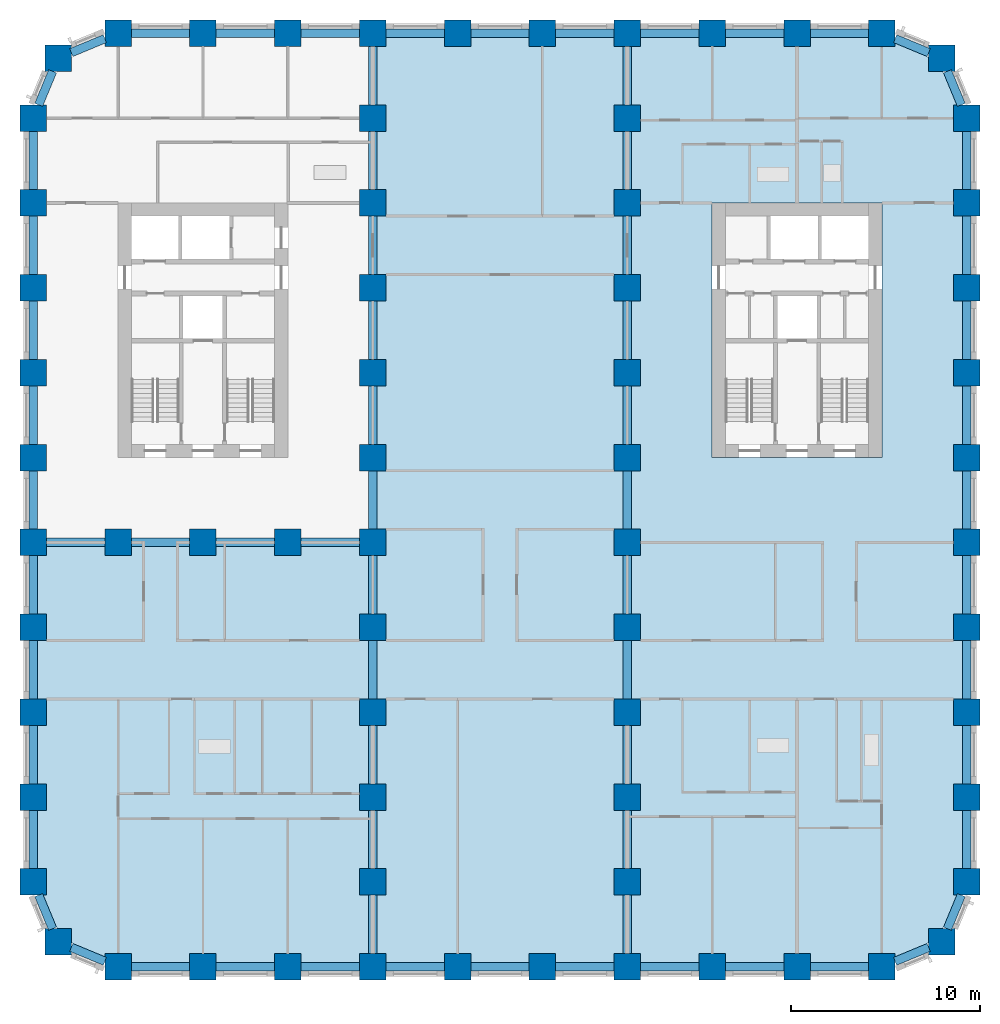
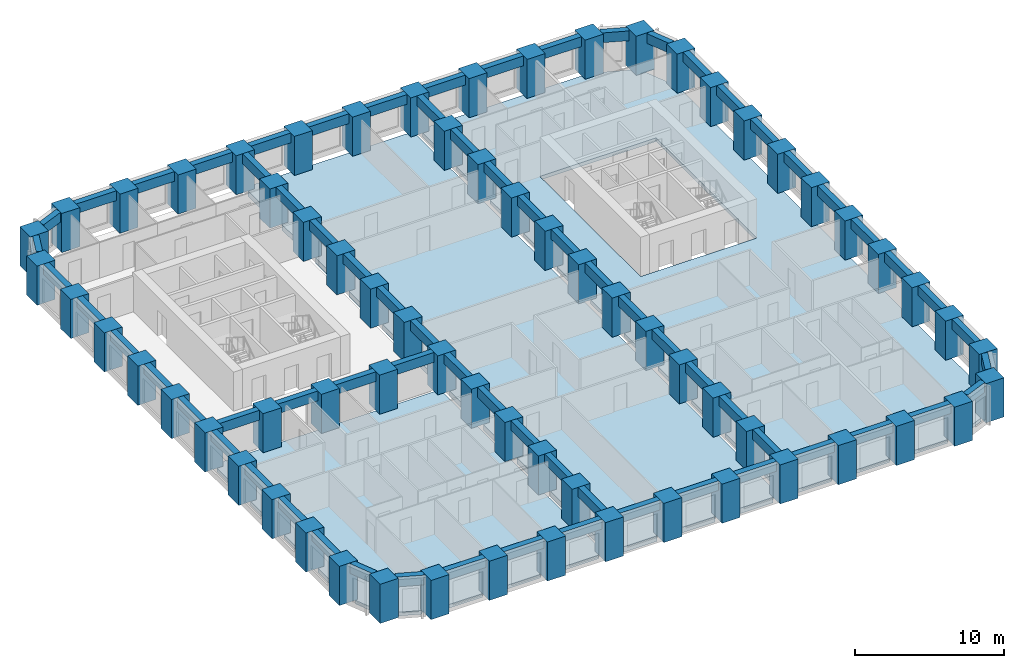
# One storey, part 1 of 12: 70 beams, 67 columns, 3 slabs.
"""IFC4 building model written with IfcOpenShell, lengths in metres."""

from ifc_helpers import new_model, si_unit, direction, frame, origin, origin_2d, place, context, subcontext, project, spatial, polyline, rectangle, outline, extrude, material, layer, layer_set, material_profile, profile_set, type_object, element, save


model = new_model("IFC4")

# Units and contexts
model_context = context("Model", 3, precision=1e-05, world=origin(), true_north=direction((0.0, 1.0)))
body_context = subcontext(model_context, "Body", "Model", "MODEL_VIEW")
ifc_project = project(units=[si_unit("LENGTHUNIT", "METRE"), si_unit("AREAUNIT", "SQUARE_METRE"), si_unit("VOLUMEUNIT", "CUBIC_METRE"), si_unit("PLANEANGLEUNIT", "RADIAN"), si_unit("MASSUNIT", "GRAM", prefix="KILO")], contexts=[model_context])

# Site, building, storey
site_placement = place(None, origin())
site = spatial("IfcSite", under=ifc_project, at=site_placement, CompositionType="ELEMENT")
building_placement = place(site_placement, origin())
building = spatial("IfcBuilding", under=site, at=building_placement, Name="Girih Gate Residences", CompositionType="ELEMENT")
storey_placement = place(building_placement, frame((0.0, 0.0, 62.39990234375)))
storey = spatial("IfcBuildingStorey", under=building, at=storey_placement, Name="L16", CompositionType="ELEMENT", Elevation=62.39990234375)

# Columns
ifc_material_1 = material(Name="Concrete C80/95", Category="concrete")
ifc_material_profile_1 = material_profile(ifc_material_1, rectangle(XDim=1.39990234375, YDim=1.39990234375, at=origin_2d()))
ifc_profile_set_1 = profile_set([ifc_material_profile_1], Name="Concrete C80/95")
column_type = type_object("IfcColumnType", Name="Pier RC 1400x1400 Concrete C80/95", PredefinedType="COLUMN", material=ifc_profile_set_1)
for number, where, z_axis, x_axis, name in (
    (1, (4.5, 0.0, 0.0), (0.0, 0.0, 1.0), (1.0, 0.0, 0.0), "Pier P2A L16"),
    (2, (9.0, 0.0, 0.0), (0.0, 0.0, 1.0), (1.0, 0.0, 0.0), "Pier P3A L16"),
    (3, (13.5, 0.0, 0.0), (0.0, 0.0, 1.0), (1.0, 0.0, 0.0), "Pier P4A L16"),
    (4, (18.0, 0.0, 0.0), (0.0, 0.0, 1.0), (1.0, 0.0, 0.0), "Pier P5A L16"),
    (5, (22.5, 0.0, 0.0), (0.0, 0.0, 1.0), (1.0, 0.0, 0.0), "Pier P6A L16"),
    (6, (27.0, 0.0, 0.0), (0.0, 0.0, 1.0), (1.0, 0.0, 0.0), "Pier P7A L16"),
    (7, (31.5, 0.0, 0.0), (0.0, 0.0, 1.0), (1.0, 0.0, 0.0), "Pier P8A L16"),
    (8, (36.0, 0.0, 0.0), (0.0, 0.0, 1.0), (1.0, 0.0, 0.0), "Pier P9A L16"),
    (9, (40.5, 0.0, 0.0), (0.0, 0.0, 1.0), (1.0, 0.0, 0.0), "Pier P10A L16"),
    (10, (45.0, 0.0, 0.0), (0.0, 0.0, 1.0), (1.0, 0.0, 0.0), "Pier P11A L16"),
    (11, (1.318115234375, 1.318115234375, 0.0), (0.0, 0.0, 1.0), (1.0, 0.0, 0.0), "Pier P1ANE L16"),
    (12, (48.181884765625, 1.318115234375, 0.0), (0.0, 0.0, 1.0), (1.0, 0.0, 0.0), "Pier P12ANW L16"),
    (13, (0.0, 4.5, 0.0), (0.0, 0.0, 1.0), (1.0, 0.0, 0.0), "Pier P1B L16"),
    (14, (18.0, 4.5, 0.0), (0.0, 0.0, 1.0), (1.0, 0.0, 0.0), "Pier P5B L16"),
    (15, (31.5, 4.5, 0.0), (0.0, 0.0, 1.0), (1.0, 0.0, 0.0), "Pier P8B L16"),
    (16, (49.5, 4.5, 0.0), (0.0, 0.0, 1.0), (1.0, 0.0, 0.0), "Pier P12B L16"),
    (17, (0.0, 9.0, 0.0), (0.0, 0.0, 1.0), (1.0, 0.0, 0.0), "Pier P1C L16"),
    (18, (18.0, 9.0, 0.0), (0.0, 0.0, 1.0), (1.0, 0.0, 0.0), "Pier P5C L16"),
    (19, (31.5, 9.0, 0.0), (0.0, 0.0, 1.0), (1.0, 0.0, 0.0), "Pier P8C L16"),
    (20, (49.5, 9.0, 0.0), (0.0, 0.0, 1.0), (1.0, 0.0, 0.0), "Pier P12C L16"),
    (21, (0.0, 13.5, 0.0), (0.0, 0.0, 1.0), (1.0, 0.0, 0.0), "Pier P1D L16"),
    (22, (18.0, 13.5, 0.0), (0.0, 0.0, 1.0), (1.0, 0.0, 0.0), "Pier P5D L16"),
    (23, (31.5, 13.5, 0.0), (0.0, 0.0, 1.0), (1.0, 0.0, 0.0), "Pier P8D L16"),
    (24, (49.5, 13.5, 0.0), (0.0, 0.0, 1.0), (1.0, 0.0, 0.0), "Pier P12D L16"),
    (25, (0.0, 18.0, 0.0), (0.0, 0.0, 1.0), (1.0, 0.0, 0.0), "Pier P1E L16"),
    (26, (18.0, 18.0, 0.0), (0.0, 0.0, 1.0), (1.0, 0.0, 0.0), "Pier P5E L16"),
    (27, (31.5, 18.0, 0.0), (0.0, 0.0, 1.0), (1.0, 0.0, 0.0), "Pier P8E L16"),
    (28, (49.5, 18.0, 0.0), (0.0, 0.0, 1.0), (1.0, 0.0, 0.0), "Pier P12E L16"),
    (29, (0.0, 22.5, 0.0), (0.0, 0.0, 1.0), (1.0, 0.0, 0.0), "Pier P1F L16"),
    (30, (4.5, 22.5, 0.0), (0.0, 0.0, 1.0), (1.0, 0.0, 0.0), "Pier P2F L16"),
    (31, (9.0, 22.5, 0.0), (0.0, 0.0, 1.0), (1.0, 0.0, 0.0), "Pier P3F L16"),
    (32, (13.5, 22.5, 0.0), (0.0, 0.0, 1.0), (1.0, 0.0, 0.0), "Pier P4F L16"),
    (33, (18.0, 22.5, 0.0), (0.0, 0.0, 1.0), (1.0, 0.0, 0.0), "Pier P5F L16"),
    (34, (31.5, 22.5, 0.0), (0.0, 0.0, 1.0), (1.0, 0.0, 0.0), "Pier P8F L16"),
    (35, (49.5, 22.5, 0.0), (0.0, 0.0, 1.0), (1.0, 0.0, 0.0), "Pier P12F L16"),
    (36, (0.0, 27.0, 0.0), (0.0, 0.0, 1.0), (1.0, 0.0, 0.0), "Pier P1G L16"),
    (37, (18.0, 27.0, 0.0), (0.0, 0.0, 1.0), (1.0, 0.0, 0.0), "Pier P5G L16"),
    (38, (31.5, 27.0, 0.0), (0.0, 0.0, 1.0), (1.0, 0.0, 0.0), "Pier P8G L16"),
    (39, (49.5, 27.0, 0.0), (0.0, 0.0, 1.0), (1.0, 0.0, 0.0), "Pier P12G L16"),
    (40, (0.0, 31.5, 0.0), (0.0, 0.0, 1.0), (1.0, 0.0, 0.0), "Pier P1H L16"),
    (41, (18.0, 31.5, 0.0), (0.0, 0.0, 1.0), (1.0, 0.0, 0.0), "Pier P5H L16"),
    (42, (31.5, 31.5, 0.0), (0.0, 0.0, 1.0), (1.0, 0.0, 0.0), "Pier P8H L16"),
    (43, (49.5, 31.5, 0.0), (0.0, 0.0, 1.0), (1.0, 0.0, 0.0), "Pier P12H L16"),
    (44, (0.0, 36.0, 0.0), (0.0, 0.0, 1.0), (1.0, 0.0, 0.0), "Pier P1I L16"),
    (45, (18.0, 36.0, 0.0), (0.0, 0.0, 1.0), (1.0, 0.0, 0.0), "Pier P5I L16"),
    (46, (31.5, 36.0, 0.0), (0.0, 0.0, 1.0), (1.0, 0.0, 0.0), "Pier P8I L16"),
    (47, (49.5, 36.0, 0.0), (0.0, 0.0, 1.0), (1.0, 0.0, 0.0), "Pier P12I L16"),
    (48, (0.0, 40.5, 0.0), (0.0, 0.0, 1.0), (1.0, 0.0, 0.0), "Pier P1J L16"),
    (49, (18.0, 40.5, 0.0), (0.0, 0.0, 1.0), (1.0, 0.0, 0.0), "Pier P5J L16"),
    (50, (31.5, 40.5, 0.0), (0.0, 0.0, 1.0), (1.0, 0.0, 0.0), "Pier P8J L16"),
    (51, (49.5, 40.5, 0.0), (0.0, 0.0, 1.0), (1.0, 0.0, 0.0), "Pier P12J L16"),
    (52, (0.0, 45.0, 0.0), (0.0, 0.0, 1.0), (1.0, 0.0, 0.0), "Pier P1K L16"),
    (53, (18.0, 45.0, 0.0), (0.0, 0.0, 1.0), (1.0, 0.0, 0.0), "Pier P5K L16"),
    (54, (31.5, 45.0, 0.0), (0.0, 0.0, 1.0), (1.0, 0.0, 0.0), "Pier P8K L16"),
    (55, (49.5, 45.0, 0.0), (0.0, 0.0, 1.0), (1.0, 0.0, 0.0), "Pier P12K L16"),
    (56, (1.318115234375, 48.181884765625, 0.0), (0.0, 0.0, 1.0), (1.0, 0.0, 0.0), "Pier P1LSE L16"),
    (57, (48.181884765625, 48.181884765625, 0.0), (0.0, 0.0, 1.0), (1.0, 0.0, 0.0), "Pier P12LSW L16"),
    (58, (4.5, 49.5, 0.0), (0.0, 0.0, 1.0), (1.0, 0.0, 0.0), "Pier P2L L16"),
    (59, (9.0, 49.5, 0.0), (0.0, 0.0, 1.0), (1.0, 0.0, 0.0), "Pier P3L L16"),
    (60, (13.5, 49.5, 0.0), (0.0, 0.0, 1.0), (1.0, 0.0, 0.0), "Pier P4L L16"),
    (61, (18.0, 49.5, 0.0), (0.0, 0.0, 1.0), (1.0, 0.0, 0.0), "Pier P5L L16"),
    (62, (22.5, 49.5, 0.0), (0.0, 0.0, 1.0), (1.0, 0.0, 0.0), "Pier P6L L16"),
    (63, (27.0, 49.5, 0.0), (0.0, 0.0, 1.0), (1.0, 0.0, 0.0), "Pier P7L L16"),
    (64, (31.5, 49.5, 0.0), (0.0, 0.0, 1.0), (1.0, 0.0, 0.0), "Pier P8L L16"),
    (65, (36.0, 49.5, 0.0), (0.0, 0.0, 1.0), (1.0, 0.0, 0.0), "Pier P9L L16"),
    (66, (40.5, 49.5, 0.0), (0.0, 0.0, 1.0), (1.0, 0.0, 0.0), "Pier P10L L16"),
    (67, (45.0, 49.5, 0.0), (0.0, 0.0, 1.0), (1.0, 0.0, 0.0), "Pier P11L L16"),
):
    element("IfcColumn", number, at=place(storey_placement, frame(where, z_axis=z_axis, x_axis=x_axis)), inside=storey, type_object=column_type, Name=name, PredefinedType="COLUMN", context=body_context, shape_type="SweptSolid", body=[
        extrude(rectangle(XDim=1.39990234375, YDim=1.39990234375, at=origin_2d()), origin(), (0.0, 0.0, 1.0), 3.2001953125),
    ])

# Beams
ifc_material_2 = material(Name="Concrete C60/75", Category="concrete")
ifc_material_profile_2 = material_profile(ifc_material_2, rectangle(XDim=0.449951171875, YDim=0.800048828125, at=origin_2d()))
ifc_profile_set_2 = profile_set([ifc_material_profile_2], Name="Concrete C60/75")
beam_type = type_object("IfcBeamType", Name="Spandrel girder RC 450x800 Concrete C60/75", PredefinedType="BEAM", material=ifc_profile_set_2)
for number, where, z_axis, x_axis, name in (
    (68, (0.2900390625, 3.800048828125, 2.800048828125), (0.382646180293, -0.923894961945, 0.0), (0.923894961945, 0.382646180293, 0.0), "Spandrel girder SP-P1B-P1ANE L16"),
    (69, (2.01806640625, 1.028076171875, 2.800048828125), (0.923894961945, -0.382646180293, 0.0), (0.382646180293, 0.923894961945, 0.0), "Spandrel girder SP-P1ANE-P2A L16"),
):
    element("IfcBeam", number, at=place(storey_placement, frame(where, z_axis=z_axis, x_axis=x_axis)), inside=storey, type_object=beam_type, Name=name, PredefinedType="BEAM", context=body_context, shape_type="SweptSolid", body=[
        extrude(rectangle(XDim=0.449951171875, YDim=0.800048828125, at=origin_2d()), origin(), (0.0, 0.0, 1.0), 1.9287109375),
    ])
for number, where, z_axis, x_axis, name in (
    (70, (5.199951171875, 0.0, 2.800048828125), (1.0, 0.0, 0.0), (0.0, 1.0, 0.0), "Spandrel girder SP-P2A-P3A L16"),
    (71, (9.699951171875, 0.0, 2.800048828125), (1.0, 0.0, 0.0), (0.0, 1.0, 0.0), "Spandrel girder SP-P3A-P4A L16"),
    (72, (14.199951171875, 0.0, 2.800048828125), (1.0, 0.0, 0.0), (0.0, 1.0, 0.0), "Spandrel girder SP-P4A-P5A L16"),
    (73, (18.699951171875, 0.0, 2.800048828125), (1.0, 0.0, 0.0), (0.0, 1.0, 0.0), "Spandrel girder SP-P5A-P6A L16"),
    (74, (23.199951171875, 0.0, 2.800048828125), (1.0, 0.0, 0.0), (0.0, 1.0, 0.0), "Spandrel girder SP-P6A-P7A L16"),
    (75, (27.699951171875, 0.0, 2.800048828125), (1.0, 0.0, 0.0), (0.0, 1.0, 0.0), "Spandrel girder SP-P7A-P8A L16"),
    (76, (32.199951171875, 0.0, 2.800048828125), (1.0, 0.0, 0.0), (0.0, 1.0, 0.0), "Spandrel girder SP-P8A-P9A L16"),
    (77, (36.699951171875, 0.0, 2.800048828125), (1.0, 0.0, 0.0), (0.0, 1.0, 0.0), "Spandrel girder SP-P9A-P10A L16"),
    (78, (41.199951171875, 0.0, 2.800048828125), (1.0, 0.0, 0.0), (0.0, 1.0, 0.0), "Spandrel girder SP-P10A-P11A L16"),
):
    element("IfcBeam", number, at=place(storey_placement, frame(where, z_axis=z_axis, x_axis=x_axis)), inside=storey, type_object=beam_type, Name=name, PredefinedType="BEAM", context=body_context, shape_type="SweptSolid", body=[
        extrude(rectangle(XDim=0.449951171875, YDim=0.800048828125, at=origin_2d()), origin(), (0.0, 0.0, 1.0), 3.10009765625),
    ])
for number, where, z_axis, x_axis, name in (
    (79, (45.699951171875, 0.2900390625, 2.800048828125), (0.923894961945, 0.382646180293, 0.0), (-0.382646180293, 0.923894961945, 0.0), "Spandrel girder SP-P11A-P12ANW L16"),
    (80, (48.471923828125, 2.01806640625, 2.800048828125), (0.382646180293, 0.923894961945, 0.0), (-0.923894961945, 0.382646180293, 0.0), "Spandrel girder SP-P12ANW-P12B L16"),
):
    element("IfcBeam", number, at=place(storey_placement, frame(where, z_axis=z_axis, x_axis=x_axis)), inside=storey, type_object=beam_type, Name=name, PredefinedType="BEAM", context=body_context, shape_type="SweptSolid", body=[
        extrude(rectangle(XDim=0.449951171875, YDim=0.800048828125, at=origin_2d()), origin(), (0.0, 0.0, 1.0), 1.9287109375),
    ])
for number, where, z_axis, x_axis, name in (
    (81, (49.5, 5.199951171875, 2.800048828125), (0.0, 1.0, 0.0), (-1.0, 0.0, 0.0), "Spandrel girder SP-P12B-P12C L16"),
    (82, (49.5, 9.699951171875, 2.800048828125), (0.0, 1.0, 0.0), (-1.0, 0.0, 0.0), "Spandrel girder SP-P12C-P12D L16"),
    (83, (49.5, 14.199951171875, 2.800048828125), (0.0, 1.0, 0.0), (-1.0, 0.0, 0.0), "Spandrel girder SP-P12D-P12E L16"),
    (84, (49.5, 18.699951171875, 2.800048828125), (0.0, 1.0, 0.0), (-1.0, 0.0, 0.0), "Spandrel girder SP-P12E-P12F L16"),
    (85, (49.5, 23.199951171875, 2.800048828125), (0.0, 1.0, 0.0), (-1.0, 0.0, 0.0), "Spandrel girder SP-P12F-P12G L16"),
    (86, (49.5, 27.699951171875, 2.800048828125), (0.0, 1.0, 0.0), (-1.0, 0.0, 0.0), "Spandrel girder SP-P12G-P12H L16"),
    (87, (49.5, 32.199951171875, 2.800048828125), (0.0, 1.0, 0.0), (-1.0, 0.0, 0.0), "Spandrel girder SP-P12H-P12I L16"),
    (88, (49.5, 36.699951171875, 2.800048828125), (0.0, 1.0, 0.0), (-1.0, 0.0, 0.0), "Spandrel girder SP-P12I-P12J L16"),
    (89, (49.5, 41.199951171875, 2.800048828125), (0.0, 1.0, 0.0), (-1.0, 0.0, 0.0), "Spandrel girder SP-P12J-P12K L16"),
):
    element("IfcBeam", number, at=place(storey_placement, frame(where, z_axis=z_axis, x_axis=x_axis)), inside=storey, type_object=beam_type, Name=name, PredefinedType="BEAM", context=body_context, shape_type="SweptSolid", body=[
        extrude(rectangle(XDim=0.449951171875, YDim=0.800048828125, at=origin_2d()), origin(), (0.0, 0.0, 1.0), 3.10009765625),
    ])
for number, where, z_axis, x_axis, name in (
    (90, (49.2099609375, 45.699951171875, 2.800048828125), (-0.382646180293, 0.923894961945, 0.0), (-0.923894961945, -0.382646180293, 0.0), "Spandrel girder SP-P12K-P12LSW L16"),
    (91, (47.48193359375, 48.471923828125, 2.800048828125), (-0.923894961945, 0.382646180293, 0.0), (-0.382646180293, -0.923894961945, 0.0), "Spandrel girder SP-P12LSW-P11L L16"),
):
    element("IfcBeam", number, at=place(storey_placement, frame(where, z_axis=z_axis, x_axis=x_axis)), inside=storey, type_object=beam_type, Name=name, PredefinedType="BEAM", context=body_context, shape_type="SweptSolid", body=[
        extrude(rectangle(XDim=0.449951171875, YDim=0.800048828125, at=origin_2d()), origin(), (0.0, 0.0, 1.0), 1.9287109375),
    ])
for number, where, z_axis, x_axis, name in (
    (92, (44.300048828125, 49.5, 2.800048828125), (-1.0, 0.0, 0.0), (0.0, -1.0, 0.0), "Spandrel girder SP-P11L-P10L L16"),
    (93, (39.800048828125, 49.5, 2.800048828125), (-1.0, 0.0, 0.0), (0.0, -1.0, 0.0), "Spandrel girder SP-P10L-P9L L16"),
    (94, (35.300048828125, 49.5, 2.800048828125), (-1.0, 0.0, 0.0), (0.0, -1.0, 0.0), "Spandrel girder SP-P9L-P8L L16"),
    (95, (30.800048828125, 49.5, 2.800048828125), (-1.0, 0.0, 0.0), (0.0, -1.0, 0.0), "Spandrel girder SP-P8L-P7L L16"),
    (96, (26.300048828125, 49.5, 2.800048828125), (-1.0, 0.0, 0.0), (0.0, -1.0, 0.0), "Spandrel girder SP-P7L-P6L L16"),
    (97, (21.800048828125, 49.5, 2.800048828125), (-1.0, 0.0, 0.0), (0.0, -1.0, 0.0), "Spandrel girder SP-P6L-P5L L16"),
    (98, (17.300048828125, 49.5, 2.800048828125), (-1.0, 0.0, 0.0), (0.0, -1.0, 0.0), "Spandrel girder SP-P5L-P4L L16"),
    (99, (12.800048828125, 49.5, 2.800048828125), (-1.0, 0.0, 0.0), (0.0, -1.0, 0.0), "Spandrel girder SP-P4L-P3L L16"),
    (100, (8.300048828125, 49.5, 2.800048828125), (-1.0, 0.0, 0.0), (0.0, -1.0, 0.0), "Spandrel girder SP-P3L-P2L L16"),
):
    element("IfcBeam", number, at=place(storey_placement, frame(where, z_axis=z_axis, x_axis=x_axis)), inside=storey, type_object=beam_type, Name=name, PredefinedType="BEAM", context=body_context, shape_type="SweptSolid", body=[
        extrude(rectangle(XDim=0.449951171875, YDim=0.800048828125, at=origin_2d()), origin(), (0.0, 0.0, 1.0), 3.10009765625),
    ])
for number, where, z_axis, x_axis, name in (
    (101, (3.800048828125, 49.2099609375, 2.800048828125), (-0.923894961945, -0.382646180293, 0.0), (0.382646180293, -0.923894961945, 0.0), "Spandrel girder SP-P2L-P1LSE L16"),
    (102, (1.028076171875, 47.48193359375, 2.800048828125), (-0.382646180293, -0.923894961945, 0.0), (0.923894961945, -0.382646180293, 0.0), "Spandrel girder SP-P1LSE-P1K L16"),
):
    element("IfcBeam", number, at=place(storey_placement, frame(where, z_axis=z_axis, x_axis=x_axis)), inside=storey, type_object=beam_type, Name=name, PredefinedType="BEAM", context=body_context, shape_type="SweptSolid", body=[
        extrude(rectangle(XDim=0.449951171875, YDim=0.800048828125, at=origin_2d()), origin(), (0.0, 0.0, 1.0), 1.9287109375),
    ])
for number, where, z_axis, x_axis, name in (
    (103, (0.0, 44.300048828125, 2.800048828125), (0.0, -1.0, 0.0), (1.0, 0.0, 0.0), "Spandrel girder SP-P1K-P1J L16"),
    (104, (0.0, 39.800048828125, 2.800048828125), (0.0, -1.0, 0.0), (1.0, 0.0, 0.0), "Spandrel girder SP-P1J-P1I L16"),
    (105, (0.0, 35.300048828125, 2.800048828125), (0.0, -1.0, 0.0), (1.0, 0.0, 0.0), "Spandrel girder SP-P1I-P1H L16"),
    (106, (0.0, 30.800048828125, 2.800048828125), (0.0, -1.0, 0.0), (1.0, 0.0, 0.0), "Spandrel girder SP-P1H-P1G L16"),
    (107, (0.0, 26.300048828125, 2.800048828125), (0.0, -1.0, 0.0), (1.0, 0.0, 0.0), "Spandrel girder SP-P1G-P1F L16"),
    (108, (0.0, 21.800048828125, 2.800048828125), (0.0, -1.0, 0.0), (1.0, 0.0, 0.0), "Spandrel girder SP-P1F-P1E L16"),
    (109, (0.0, 17.300048828125, 2.800048828125), (0.0, -1.0, 0.0), (1.0, 0.0, 0.0), "Spandrel girder SP-P1E-P1D L16"),
    (110, (0.0, 12.800048828125, 2.800048828125), (0.0, -1.0, 0.0), (1.0, 0.0, 0.0), "Spandrel girder SP-P1D-P1C L16"),
    (111, (0.0, 8.300048828125, 2.800048828125), (0.0, -1.0, 0.0), (1.0, 0.0, 0.0), "Spandrel girder SP-P1C-P1B L16"),
    (112, (18.0, 0.699951171875, 2.800048828125), (0.0, 1.0, 0.0), (-1.0, 0.0, 0.0), "Spandrel girder SP-P5A-P5B L16"),
    (113, (18.0, 5.199951171875, 2.800048828125), (0.0, 1.0, 0.0), (-1.0, 0.0, 0.0), "Spandrel girder SP-P5B-P5C L16"),
    (114, (18.0, 9.699951171875, 2.800048828125), (0.0, 1.0, 0.0), (-1.0, 0.0, 0.0), "Spandrel girder SP-P5C-P5D L16"),
    (115, (18.0, 14.199951171875, 2.800048828125), (0.0, 1.0, 0.0), (-1.0, 0.0, 0.0), "Spandrel girder SP-P5D-P5E L16"),
    (116, (18.0, 18.699951171875, 2.800048828125), (0.0, 1.0, 0.0), (-1.0, 0.0, 0.0), "Spandrel girder SP-P5E-P5F L16"),
    (117, (18.0, 23.199951171875, 2.800048828125), (0.0, 1.0, 0.0), (-1.0, 0.0, 0.0), "Spandrel girder SP-P5F-P5G L16"),
    (118, (18.0, 27.699951171875, 2.800048828125), (0.0, 1.0, 0.0), (-1.0, 0.0, 0.0), "Spandrel girder SP-P5G-P5H L16"),
    (119, (18.0, 32.199951171875, 2.800048828125), (0.0, 1.0, 0.0), (-1.0, 0.0, 0.0), "Spandrel girder SP-P5H-P5I L16"),
    (120, (18.0, 36.699951171875, 2.800048828125), (0.0, 1.0, 0.0), (-1.0, 0.0, 0.0), "Spandrel girder SP-P5I-P5J L16"),
    (121, (18.0, 41.199951171875, 2.800048828125), (0.0, 1.0, 0.0), (-1.0, 0.0, 0.0), "Spandrel girder SP-P5J-P5K L16"),
    (122, (18.0, 45.699951171875, 2.800048828125), (0.0, 1.0, 0.0), (-1.0, 0.0, 0.0), "Spandrel girder SP-P5K-P5L L16"),
    (123, (31.5, 0.699951171875, 2.800048828125), (0.0, 1.0, 0.0), (-1.0, 0.0, 0.0), "Spandrel girder SP-P8A-P8B L16"),
    (124, (31.5, 5.199951171875, 2.800048828125), (0.0, 1.0, 0.0), (-1.0, 0.0, 0.0), "Spandrel girder SP-P8B-P8C L16"),
    (125, (31.5, 9.699951171875, 2.800048828125), (0.0, 1.0, 0.0), (-1.0, 0.0, 0.0), "Spandrel girder SP-P8C-P8D L16"),
    (126, (31.5, 14.199951171875, 2.800048828125), (0.0, 1.0, 0.0), (-1.0, 0.0, 0.0), "Spandrel girder SP-P8D-P8E L16"),
    (127, (31.5, 18.699951171875, 2.800048828125), (0.0, 1.0, 0.0), (-1.0, 0.0, 0.0), "Spandrel girder SP-P8E-P8F L16"),
    (128, (31.5, 23.199951171875, 2.800048828125), (0.0, 1.0, 0.0), (-1.0, 0.0, 0.0), "Spandrel girder SP-P8F-P8G L16"),
    (129, (31.5, 27.699951171875, 2.800048828125), (0.0, 1.0, 0.0), (-1.0, 0.0, 0.0), "Spandrel girder SP-P8G-P8H L16"),
    (130, (31.5, 32.199951171875, 2.800048828125), (0.0, 1.0, 0.0), (-1.0, 0.0, 0.0), "Spandrel girder SP-P8H-P8I L16"),
    (131, (31.5, 36.699951171875, 2.800048828125), (0.0, 1.0, 0.0), (-1.0, 0.0, 0.0), "Spandrel girder SP-P8I-P8J L16"),
    (132, (31.5, 41.199951171875, 2.800048828125), (0.0, 1.0, 0.0), (-1.0, 0.0, 0.0), "Spandrel girder SP-P8J-P8K L16"),
    (133, (31.5, 45.699951171875, 2.800048828125), (0.0, 1.0, 0.0), (-1.0, 0.0, 0.0), "Spandrel girder SP-P8K-P8L L16"),
    (134, (0.699951171875, 22.5, 2.800048828125), (1.0, 0.0, 0.0), (0.0, 1.0, 0.0), "Spandrel girder SP-P1F-P2F L16"),
    (135, (5.199951171875, 22.5, 2.800048828125), (1.0, 0.0, 0.0), (0.0, 1.0, 0.0), "Spandrel girder SP-P2F-P3F L16"),
    (136, (9.699951171875, 22.5, 2.800048828125), (1.0, 0.0, 0.0), (0.0, 1.0, 0.0), "Spandrel girder SP-P3F-P4F L16"),
    (137, (14.199951171875, 22.5, 2.800048828125), (1.0, 0.0, 0.0), (0.0, 1.0, 0.0), "Spandrel girder SP-P4F-P5F L16"),
):
    element("IfcBeam", number, at=place(storey_placement, frame(where, z_axis=z_axis, x_axis=x_axis)), inside=storey, type_object=beam_type, Name=name, PredefinedType="BEAM", context=body_context, shape_type="SweptSolid", body=[
        extrude(rectangle(XDim=0.449951171875, YDim=0.800048828125, at=origin_2d()), origin(), (0.0, 0.0, 1.0), 3.10009765625),
    ])

# Slabs
ifc_material_3 = material(Name="Concrete C40/50", Category="concrete")
ifc_layer_1 = layer(ifc_material_3, 0.300048828125)
ifc_layer_set_1 = layer_set([ifc_layer_1], Name="Floor slab PT 300 Concrete C40/50")
slab_type_1 = type_object("IfcSlabType", Name="Floor slab PT 300 Concrete C40/50", PredefinedType="FLOOR", material=ifc_layer_set_1)
slab_1_placement = place(storey_placement, frame((0.0, 0.0, -0.2998046875)))
element("IfcSlab", 138, at=slab_1_placement, inside=storey, type_object=slab_type_1, Name="Floor slab L16 0", PredefinedType="FLOOR", context=body_context, shape_type="SweptSolid", body=[
    extrude(outline(polyline([(0.22509765625, 8.300048828125), (0.22509765625, 5.199951171875), (0.699951171875, 5.199951171875), (0.699951171875, 3.800048828125), (0.533447265625, 3.800048828125), (1.271728515625, 2.01806640625), (2.01806640625, 2.01806640625), (2.01806640625, 1.271728515625), (3.800048828125, 0.533447265625), (3.800048828125, 0.699951171875), (5.199951171875, 0.699951171875), (5.199951171875, 0.22509765625), (8.300048828125, 0.22509765625), (8.300048828125, 0.699951171875), (9.699951171875, 0.699951171875), (9.699951171875, 0.22509765625), (12.800048828125, 0.22509765625), (12.800048828125, 0.699951171875), (14.199951171875, 0.699951171875), (14.199951171875, 0.22509765625), (17.300048828125, 0.22509765625), (17.300048828125, 0.699951171875), (17.77490234375, 0.699951171875), (17.77490234375, 3.800048828125), (17.300048828125, 3.800048828125), (17.300048828125, 5.199951171875), (17.77490234375, 5.199951171875), (17.77490234375, 8.300048828125), (17.300048828125, 8.300048828125), (17.300048828125, 9.699951171875), (17.77490234375, 9.699951171875), (17.77490234375, 12.800048828125), (17.300048828125, 12.800048828125), (17.300048828125, 14.199951171875), (17.77490234375, 14.199951171875), (17.77490234375, 17.300048828125), (17.300048828125, 17.300048828125), (17.300048828125, 18.699951171875), (17.77490234375, 18.699951171875), (17.77490234375, 21.800048828125), (17.300048828125, 21.800048828125), (17.300048828125, 22.27490234375), (14.199951171875, 22.27490234375), (14.199951171875, 21.800048828125), (12.800048828125, 21.800048828125), (12.800048828125, 22.27490234375), (9.699951171875, 22.27490234375), (9.699951171875, 21.800048828125), (8.300048828125, 21.800048828125), (8.300048828125, 22.27490234375), (5.199951171875, 22.27490234375), (5.199951171875, 21.800048828125), (3.800048828125, 21.800048828125), (3.800048828125, 22.27490234375), (0.699951171875, 22.27490234375), (0.699951171875, 21.800048828125), (0.22509765625, 21.800048828125), (0.22509765625, 18.699951171875), (0.699951171875, 18.699951171875), (0.699951171875, 17.300048828125), (0.22509765625, 17.300048828125), (0.22509765625, 14.199951171875), (0.699951171875, 14.199951171875), (0.699951171875, 12.800048828125), (0.22509765625, 12.800048828125), (0.22509765625, 9.699951171875), (0.699951171875, 9.699951171875), (0.699951171875, 8.300048828125), (0.22509765625, 8.300048828125)])), origin(), (0.0, 0.0, 1.0), 0.2998046875),
])
slab_2_placement = place(storey_placement, frame((0.0, 0.0, -0.2998046875)))
element("IfcSlab", 139, at=slab_2_placement, inside=storey, type_object=slab_type_1, Name="Floor slab L16 1", PredefinedType="FLOOR", context=body_context, shape_type="SweptSolid", body=[
    extrude(outline(polyline([(35.300048828125, 49.27490234375), (32.199951171875, 49.27490234375), (32.199951171875, 48.800048828125), (31.72509765625, 48.800048828125), (31.72509765625, 45.699951171875), (32.199951171875, 45.699951171875), (32.199951171875, 44.300048828125), (31.72509765625, 44.300048828125), (31.72509765625, 41.199951171875), (32.199951171875, 41.199951171875), (32.199951171875, 39.800048828125), (31.72509765625, 39.800048828125), (31.72509765625, 36.699951171875), (32.199951171875, 36.699951171875), (32.199951171875, 35.300048828125), (31.72509765625, 35.300048828125), (31.72509765625, 32.199951171875), (32.199951171875, 32.199951171875), (32.199951171875, 30.800048828125), (31.72509765625, 30.800048828125), (31.72509765625, 27.699951171875), (32.199951171875, 27.699951171875), (32.199951171875, 26.300048828125), (31.72509765625, 26.300048828125), (31.72509765625, 23.199951171875), (32.199951171875, 23.199951171875), (32.199951171875, 21.800048828125), (31.72509765625, 21.800048828125), (31.72509765625, 18.699951171875), (32.199951171875, 18.699951171875), (32.199951171875, 17.300048828125), (31.72509765625, 17.300048828125), (31.72509765625, 14.199951171875), (32.199951171875, 14.199951171875), (32.199951171875, 12.800048828125), (31.72509765625, 12.800048828125), (31.72509765625, 9.699951171875), (32.199951171875, 9.699951171875), (32.199951171875, 8.300048828125), (31.72509765625, 8.300048828125), (31.72509765625, 5.199951171875), (32.199951171875, 5.199951171875), (32.199951171875, 3.800048828125), (31.72509765625, 3.800048828125), (31.72509765625, 0.699951171875), (32.199951171875, 0.699951171875), (32.199951171875, 0.22509765625), (35.300048828125, 0.22509765625), (35.300048828125, 0.699951171875), (36.699951171875, 0.699951171875), (36.699951171875, 0.22509765625), (39.800048828125, 0.22509765625), (39.800048828125, 0.699951171875), (41.199951171875, 0.699951171875), (41.199951171875, 0.22509765625), (44.300048828125, 0.22509765625), (44.300048828125, 0.699951171875), (45.699951171875, 0.699951171875), (45.699951171875, 0.533447265625), (47.48193359375, 1.271728515625), (47.48193359375, 2.01806640625), (48.228271484375, 2.01806640625), (48.966552734375, 3.800048828125), (48.800048828125, 3.800048828125), (48.800048828125, 5.199951171875), (49.27490234375, 5.199951171875), (49.27490234375, 8.300048828125), (48.800048828125, 8.300048828125), (48.800048828125, 9.699951171875), (49.27490234375, 9.699951171875), (49.27490234375, 12.800048828125), (48.800048828125, 12.800048828125), (48.800048828125, 14.199951171875), (49.27490234375, 14.199951171875), (49.27490234375, 17.300048828125), (48.800048828125, 17.300048828125), (48.800048828125, 18.699951171875), (49.27490234375, 18.699951171875), (49.27490234375, 21.800048828125), (48.800048828125, 21.800048828125), (48.800048828125, 23.199951171875), (49.27490234375, 23.199951171875), (49.27490234375, 26.300048828125), (48.800048828125, 26.300048828125), (48.800048828125, 27.699951171875), (49.27490234375, 27.699951171875), (49.27490234375, 30.800048828125), (48.800048828125, 30.800048828125), (48.800048828125, 32.199951171875), (49.27490234375, 32.199951171875), (49.27490234375, 35.300048828125), (48.800048828125, 35.300048828125), (48.800048828125, 36.699951171875), (49.27490234375, 36.699951171875), (49.27490234375, 39.800048828125), (48.800048828125, 39.800048828125), (48.800048828125, 41.199951171875), (49.27490234375, 41.199951171875), (49.27490234375, 44.300048828125), (48.800048828125, 44.300048828125), (48.800048828125, 45.699951171875), (48.966552734375, 45.699951171875), (48.228271484375, 47.48193359375), (47.48193359375, 47.48193359375), (47.48193359375, 48.228271484375), (45.699951171875, 48.966552734375), (45.699951171875, 48.800048828125), (44.300048828125, 48.800048828125), (44.300048828125, 49.27490234375), (41.199951171875, 49.27490234375), (41.199951171875, 48.800048828125), (39.800048828125, 48.800048828125), (39.800048828125, 49.27490234375), (36.699951171875, 49.27490234375), (36.699951171875, 48.800048828125), (35.300048828125, 48.800048828125), (35.300048828125, 49.27490234375)]), holes=[polyline([(45.0, 40.5), (45.0, 27.0), (36.0, 27.0), (36.0, 40.5), (45.0, 40.5)])]), origin(), (0.0, 0.0, 1.0), 0.2998046875),
])
ifc_layer_2 = layer(ifc_material_3, 0.449951171875)
ifc_layer_set_2 = layer_set([ifc_layer_2], Name="Floor slab PT 450 Concrete C40/50")
slab_type_2 = type_object("IfcSlabType", Name="Floor slab PT 450 Concrete C40/50", PredefinedType="FLOOR", material=ifc_layer_set_2)
slab_3_placement = place(storey_placement, frame((0.0, 0.0, -0.449951171875)))
element("IfcSlab", 140, at=slab_3_placement, inside=storey, type_object=slab_type_2, Name="Floor slab L16 2", PredefinedType="FLOOR", context=body_context, shape_type="SweptSolid", body=[
    extrude(outline(polyline([(21.800048828125, 49.27490234375), (18.699951171875, 49.27490234375), (18.699951171875, 48.800048828125), (18.22509765625, 48.800048828125), (18.22509765625, 45.699951171875), (18.699951171875, 45.699951171875), (18.699951171875, 44.300048828125), (18.22509765625, 44.300048828125), (18.22509765625, 41.199951171875), (18.699951171875, 41.199951171875), (18.699951171875, 39.800048828125), (18.22509765625, 39.800048828125), (18.22509765625, 36.699951171875), (18.699951171875, 36.699951171875), (18.699951171875, 35.300048828125), (18.22509765625, 35.300048828125), (18.22509765625, 32.199951171875), (18.699951171875, 32.199951171875), (18.699951171875, 30.800048828125), (18.22509765625, 30.800048828125), (18.22509765625, 27.699951171875), (18.699951171875, 27.699951171875), (18.699951171875, 26.300048828125), (18.22509765625, 26.300048828125), (18.22509765625, 23.199951171875), (18.699951171875, 23.199951171875), (18.699951171875, 21.800048828125), (18.22509765625, 21.800048828125), (18.22509765625, 18.699951171875), (18.699951171875, 18.699951171875), (18.699951171875, 17.300048828125), (18.22509765625, 17.300048828125), (18.22509765625, 14.199951171875), (18.699951171875, 14.199951171875), (18.699951171875, 12.800048828125), (18.22509765625, 12.800048828125), (18.22509765625, 9.699951171875), (18.699951171875, 9.699951171875), (18.699951171875, 8.300048828125), (18.22509765625, 8.300048828125), (18.22509765625, 5.199951171875), (18.699951171875, 5.199951171875), (18.699951171875, 3.800048828125), (18.22509765625, 3.800048828125), (18.22509765625, 0.699951171875), (18.699951171875, 0.699951171875), (18.699951171875, 0.22509765625), (21.800048828125, 0.22509765625), (21.800048828125, 0.699951171875), (23.199951171875, 0.699951171875), (23.199951171875, 0.22509765625), (26.300048828125, 0.22509765625), (26.300048828125, 0.699951171875), (27.699951171875, 0.699951171875), (27.699951171875, 0.22509765625), (30.800048828125, 0.22509765625), (30.800048828125, 0.699951171875), (31.27490234375, 0.699951171875), (31.27490234375, 3.800048828125), (30.800048828125, 3.800048828125), (30.800048828125, 5.199951171875), (31.27490234375, 5.199951171875), (31.27490234375, 8.300048828125), (30.800048828125, 8.300048828125), (30.800048828125, 9.699951171875), (31.27490234375, 9.699951171875), (31.27490234375, 12.800048828125), (30.800048828125, 12.800048828125), (30.800048828125, 14.199951171875), (31.27490234375, 14.199951171875), (31.27490234375, 17.300048828125), (30.800048828125, 17.300048828125), (30.800048828125, 18.699951171875), (31.27490234375, 18.699951171875), (31.27490234375, 21.800048828125), (30.800048828125, 21.800048828125), (30.800048828125, 23.199951171875), (31.27490234375, 23.199951171875), (31.27490234375, 26.300048828125), (30.800048828125, 26.300048828125), (30.800048828125, 27.699951171875), (31.27490234375, 27.699951171875), (31.27490234375, 30.800048828125), (30.800048828125, 30.800048828125), (30.800048828125, 32.199951171875), (31.27490234375, 32.199951171875), (31.27490234375, 35.300048828125), (30.800048828125, 35.300048828125), (30.800048828125, 36.699951171875), (31.27490234375, 36.699951171875), (31.27490234375, 39.800048828125), (30.800048828125, 39.800048828125), (30.800048828125, 41.199951171875), (31.27490234375, 41.199951171875), (31.27490234375, 44.300048828125), (30.800048828125, 44.300048828125), (30.800048828125, 45.699951171875), (31.27490234375, 45.699951171875), (31.27490234375, 48.800048828125), (30.800048828125, 48.800048828125), (30.800048828125, 49.27490234375), (27.699951171875, 49.27490234375), (27.699951171875, 48.800048828125), (26.300048828125, 48.800048828125), (26.300048828125, 49.27490234375), (23.199951171875, 49.27490234375), (23.199951171875, 48.800048828125), (21.800048828125, 48.800048828125), (21.800048828125, 49.27490234375)])), origin(), (0.0, 0.0, 1.0), 0.449951171875),
])

save(model, "model.ifc")
